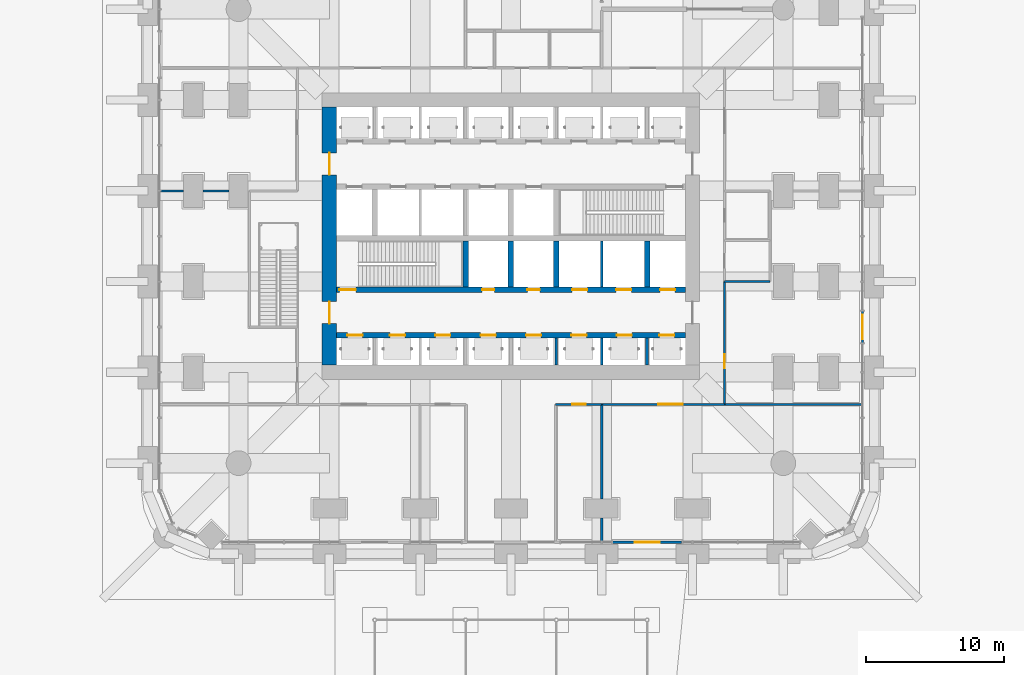
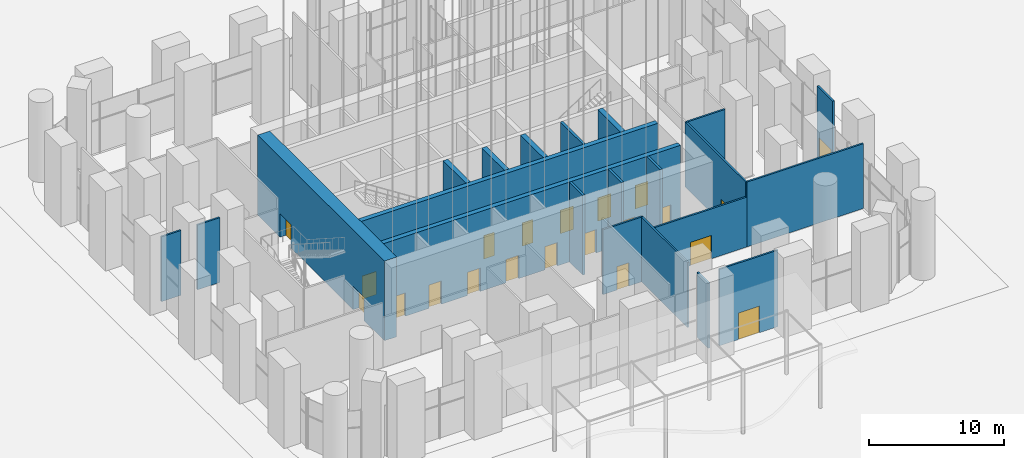
# One storey, part 15 of 32: 22 walls, 21 doors, 21 openings.
"""IFC4 building model written with IfcOpenShell, lengths in metres."""

import ifcopenshell
import ifcopenshell.guid

model = None  # the IFC model being written
_history = None  # IfcOwnerHistory: only IFC2X3 demands one
_inside = {}  # id of a spatial element -> (the spatial element, [elements in it])
_under = {}  # id of a project, library or spatial element -> (it, [spatial elements below it])
_declared = {}  # id of a project -> (the project, [libraries it declares])
_typed = {}  # id of a type object -> (the type object, [elements of that type])
_made_of = {}  # id of a material, layer set ... -> (it, [elements and type objects made of it])


def new_model(schema):
    """Start an empty IFC model of exactly this schema.

    Asked for "IFC4X3", IfcOpenShell would pick the latest addendum, in which some entities
    have other attributes; the version numbers below select the first issue.
    IFC2X3 requires an IfcOwnerHistory on every rooted entity: one is made here for all.
    """
    global model, _history
    if schema == "IFC4X3":
        model = ifcopenshell.file(schema_version=(4, 3, 0, 0))
    else:
        model = ifcopenshell.file(schema=schema)
    _inside.clear()
    _under.clear()
    _declared.clear()
    _typed.clear()
    _made_of.clear()
    _history = None
    if model.schema == "IFC2X3":
        org = make("IfcOrganization", Name="unknown")
        user = make(
            "IfcPersonAndOrganization",
            ThePerson=make("IfcPerson", FamilyName="unknown"),
            TheOrganization=org,
        )
        app = make(
            "IfcApplication",
            ApplicationDeveloper=org,
            Version="unknown",
            ApplicationFullName="unknown",
            ApplicationIdentifier="unknown",
        )
        _history = make(
            "IfcOwnerHistory",
            OwningUser=user,
            OwningApplication=app,
            ChangeAction="ADDED",
            CreationDate=0,
        )
    return model


def make(cls, **values):
    """One entity of the class cls with the attributes given. An attribute that is None is left unset."""
    return model.create_entity(
        cls, **{name: value for name, value in values.items() if value is not None}
    )


def rooted(cls, **values):
    """An entity with a GlobalId (a new one), such as an element, a storey or a relation."""
    return make(cls, GlobalId=ifcopenshell.guid.new(), OwnerHistory=_history, **values)


def si_unit(unit_type, name, prefix=None):
    """IfcSIUnit, for example si_unit("LENGTHUNIT", "METRE", prefix="MILLI")."""
    return make("IfcSIUnit", UnitType=unit_type, Prefix=prefix, Name=name)


def assignment(units):
    """IfcUnitAssignment: the units of a project."""
    return None if units is None else make("IfcUnitAssignment", Units=units)


def point(xyz):
    """IfcCartesianPoint."""
    return None if xyz is None else make("IfcCartesianPoint", Coordinates=xyz)


def direction(xyz):
    """IfcDirection."""
    return None if xyz is None else make("IfcDirection", DirectionRatios=xyz)


def frame(location, z_axis=None, x_axis=None):
    """IfcAxis2Placement3D, a coordinate frame: its origin and axes. An axis left out is left unset."""
    return make(
        "IfcAxis2Placement3D",
        Location=point(location),
        Axis=direction(z_axis),
        RefDirection=direction(x_axis),
    )


def frame_2d(location, x_axis=None):
    """IfcAxis2Placement2D, a coordinate frame in the plane: its origin and x axis."""
    return make(
        "IfcAxis2Placement2D", Location=point(location), RefDirection=direction(x_axis)
    )


def origin():
    """The frame at (0, 0, 0) with its axes left unset."""
    return frame((0.0, 0.0, 0.0))


def place(relative_to, where):
    """IfcLocalPlacement: puts the frame where relative to a parent placement (None: the world)."""
    return make(
        "IfcLocalPlacement", PlacementRelTo=relative_to, RelativePlacement=where
    )


def context(
    kind, dimensions, precision=None, world=None, true_north=None, identifier=None
):
    """IfcGeometricRepresentationContext, for example the 3D "Model" context."""
    return make(
        "IfcGeometricRepresentationContext",
        ContextIdentifier=identifier,
        ContextType=kind,
        CoordinateSpaceDimension=dimensions,
        Precision=precision,
        WorldCoordinateSystem=world,
        TrueNorth=true_north,
    )


def subcontext(parent, identifier, kind, view, scale=None):
    """IfcGeometricRepresentationSubContext, for example "Body" below "Model"."""
    return make(
        "IfcGeometricRepresentationSubContext",
        ContextIdentifier=identifier,
        ContextType=kind,
        ParentContext=parent,
        TargetScale=scale,
        TargetView=view,
    )


def project(units=None, contexts=None):
    """IfcProject with its units and contexts."""
    return rooted(
        "IfcProject",
        Name="project",
        RepresentationContexts=contexts,
        UnitsInContext=assignment(units),
    )


def spatial(cls, under=None, at=None, **own):
    """A site, building, storey or space (cls), placed at a placement, below another one or the project."""
    s = rooted(cls, ObjectPlacement=at, **own)
    if under is not None:
        _under.setdefault(under.id(), (under, []))[1].append(s)
    return s


def profile(cls, at=None, kind="AREA", **sizes):
    """A parametric profile (cls). Its sizes go by their IFC names, for example OverallWidth=200.0."""
    return make(cls, ProfileType=kind, Position=at, **sizes)


def rectangle(**sizes):
    """IfcRectangleProfileDef."""
    return profile("IfcRectangleProfileDef", **sizes)


def extrude(swept, where, along, depth):
    """IfcExtrudedAreaSolid: the profile swept, set in the frame where, extruded along a direction by depth."""
    return make(
        "IfcExtrudedAreaSolid",
        SweptArea=swept,
        Position=where,
        ExtrudedDirection=direction(along),
        Depth=depth,
    )


def shape(context_of_items, identifier, shape_type, items):
    """IfcShapeRepresentation: the items that make up one representation, for example the "Body"."""
    return make(
        "IfcShapeRepresentation",
        ContextOfItems=context_of_items,
        RepresentationIdentifier=identifier,
        RepresentationType=shape_type,
        Items=items,
    )


def material(Name=None, Category=None):
    """IfcMaterial."""
    return make("IfcMaterial", Name=Name, Category=Category)


def layer(
    of_material, thickness, ventilated=None, Name=None, Category=None, Priority=None
):
    """IfcMaterialLayer: one layer of a wall or slab, of a material (None: an air gap)."""
    return make(
        "IfcMaterialLayer",
        Material=of_material,
        LayerThickness=thickness,
        IsVentilated=ventilated,
        Name=Name,
        Category=Category,
        Priority=Priority,
    )


def layer_set(layers, Name=None):
    """IfcMaterialLayerSet."""
    return make("IfcMaterialLayerSet", MaterialLayers=layers, LayerSetName=Name)


def made_of(thing, what):
    """Note that an element or type object is made of a material, layer set ...; save() writes the relation."""
    if what is not None:
        _made_of.setdefault(what.id(), (what, []))[1].append(thing)
    return thing


def type_object(cls, material=None, **own):
    """A type object (cls), such as IfcWallType, which elements share."""
    return made_of(rooted(cls, **own), material)


def element(
    cls,
    number,
    at=None,
    inside=None,
    cuts=None,
    type_object=None,
    material=None,
    context=None,
    identifier="Body",
    shape_type=None,
    held_by="IfcProductDefinitionShape",
    body=None,
    shapes=None,
    **own,
):
    """One element of the class cls, such as IfcWall. Its Tag is "e" and its number.

    at: its placement. inside: the storey or other place that contains it. cuts: it is an
    opening in that element (IfcRelVoidsElement). A single representation is given by context,
    identifier, shape_type and body (its items); several are given by shapes. held_by: the class
    of the entity that holds the representations. save() writes the other relations.
    """
    e = rooted(cls, Tag="e%d" % number, ObjectPlacement=at, **own)
    if body is not None:
        shapes = [shape(context, identifier, shape_type, body)]
    if shapes is not None:
        e.Representation = make(held_by, Representations=shapes)
    if inside is not None:
        _inside.setdefault(inside.id(), (inside, []))[1].append(e)
    if cuts is not None:
        rooted(
            "IfcRelVoidsElement", RelatingBuildingElement=cuts, RelatedOpeningElement=e
        )
    if type_object is not None:
        _typed.setdefault(type_object.id(), (type_object, []))[1].append(e)
    return made_of(e, material)


def fill(opening, filler):
    """IfcRelFillsElement: the door or window that sits in an opening."""
    return rooted(
        "IfcRelFillsElement",
        RelatingOpeningElement=opening,
        RelatedBuildingElement=filler,
    )


def aggregate(whole, parts):
    """IfcRelAggregates: a whole, such as a stair, and the parts it consists of."""
    return rooted("IfcRelAggregates", RelatingObject=whole, RelatedObjects=parts)


def save(model, path):
    """Write the relations noted so far, then the file.

    IfcRelAggregates (storeys below a building ...), IfcRelContainedInSpatialStructure (elements
    in a storey), IfcRelDefinesByType, IfcRelAssociatesMaterial and IfcRelDeclares: one each for
    every whole, place, type object, material and project.
    """
    for whole, parts in _under.values():
        aggregate(whole, parts)
    for where, things in _inside.values():
        rooted(
            "IfcRelContainedInSpatialStructure",
            RelatedElements=things,
            RelatingStructure=where,
        )
    for kind, things in _typed.values():
        rooted("IfcRelDefinesByType", RelatedObjects=things, RelatingType=kind)
    for what, things in _made_of.values():
        rooted("IfcRelAssociatesMaterial", RelatedObjects=things, RelatingMaterial=what)
    for by, libraries in _declared.values():
        rooted("IfcRelDeclares", RelatingContext=by, RelatedDefinitions=libraries)
    model.write(path)


model = new_model("IFC4")

# Units and contexts
model_context = context("Model", 3, precision=1e-05, world=origin(), true_north=direction((0.0, 1.0)))
body_context = subcontext(model_context, "Body", "Model", "MODEL_VIEW")
ifc_project = project(units=[si_unit("LENGTHUNIT", "METRE"), si_unit("AREAUNIT", "SQUARE_METRE"), si_unit("VOLUMEUNIT", "CUBIC_METRE"), si_unit("PLANEANGLEUNIT", "RADIAN"), si_unit("MASSUNIT", "GRAM", prefix="KILO")], contexts=[model_context])

# Site, building, storey
site_placement = place(None, origin())
site = spatial("IfcSite", under=ifc_project, at=site_placement, CompositionType="ELEMENT")
building_placement = place(site_placement, origin())
building = spatial("IfcBuilding", under=site, at=building_placement, Name="Cobogo Forest Laboratory Tower", CompositionType="ELEMENT")
storey_placement = place(building_placement, origin())
storey = spatial("IfcBuildingStorey", under=building, at=storey_placement, Name="L00", CompositionType="ELEMENT", Elevation=0.0)

# Wall, openings, doors
ifc_material_1 = material(Name="Concrete HA-50 (C50/60)", Category="concrete")
ifc_layer_1 = layer(ifc_material_1, 0.39990234375)
ifc_layer_set_1 = layer_set([ifc_layer_1], Name="CI400 core inner wall 400")
wall_type_1 = type_object("IfcWallType", Name="CI400 core inner wall 400", PredefinedType="SHEAR", material=ifc_layer_set_1)
wall_1_placement = place(storey_placement, frame((13.72509765625, 15.89990234375, 0.0), z_axis=(0.0, 0.0, 1.0), x_axis=(1.0, 0.0, 0.0)))
wall_1 = element("IfcWall", 1, at=wall_1_placement, inside=storey, type_object=wall_type_1, Name="Core wall CI-15.9 L00", PredefinedType="SHEAR", context=body_context, shape_type="SweptSolid", body=[
    extrude(rectangle(XDim=25.349853515625, YDim=0.39990234375, at=frame_2d((12.6748046875, 0.0))), origin(), (0.0, 0.0, 1.0), 7.199951171875),
])
opening_1_placement = place(wall_1_placement, frame((0.78759765625, 0.0, 0.0)))
opening_1 = element("IfcOpeningElement", 2, at=opening_1_placement, cuts=wall_1, Name="Opening L00-LD-LA1", PredefinedType="OPENING", context=body_context, shape_type="SweptSolid", body=[
    extrude(rectangle(XDim=1.10009765625, YDim=2.10009765625, at=frame_2d((0.550048828125, 1.050048828125))), frame((0.0, 0.2099609375, 0.0), z_axis=(0.0, -1.0, 0.0), x_axis=(1.0, 0.0, 0.0)), (0.0, 0.0, 1.0), 0.419921875),
])
opening_2_placement = place(wall_1_placement, frame((3.875, 0.0, 0.0)))
opening_2 = element("IfcOpeningElement", 3, at=opening_2_placement, cuts=wall_1, Name="Opening L00-LD-LA2", PredefinedType="OPENING", context=body_context, shape_type="SweptSolid", body=[
    extrude(rectangle(XDim=1.10009765625, YDim=2.10009765625, at=frame_2d((0.550048828125, 1.050048828125))), frame((0.0, 0.2099609375, 0.0), z_axis=(0.0, -1.0, 0.0), x_axis=(1.0, 0.0, 0.0)), (0.0, 0.0, 1.0), 0.419921875),
])
opening_3_placement = place(wall_1_placement, frame((7.175048828125, 0.0, 0.0)))
opening_3 = element("IfcOpeningElement", 4, at=opening_3_placement, cuts=wall_1, Name="Opening L00-LD-LA3", PredefinedType="OPENING", context=body_context, shape_type="SweptSolid", body=[
    extrude(rectangle(XDim=1.10009765625, YDim=2.10009765625, at=frame_2d((0.550048828125, 1.050048828125))), frame((0.0, 0.2099609375, 0.0), z_axis=(0.0, -1.0, 0.0), x_axis=(1.0, 0.0, 0.0)), (0.0, 0.0, 1.0), 0.419921875),
])
opening_4_placement = place(wall_1_placement, frame((10.47509765625, 0.0, 0.0)))
opening_4 = element("IfcOpeningElement", 5, at=opening_4_placement, cuts=wall_1, Name="Opening L00-LD-LA4", PredefinedType="OPENING", context=body_context, shape_type="SweptSolid", body=[
    extrude(rectangle(XDim=1.10009765625, YDim=2.10009765625, at=frame_2d((0.550048828125, 1.050048828125))), frame((0.0, 0.2099609375, 0.0), z_axis=(0.0, -1.0, 0.0), x_axis=(1.0, 0.0, 0.0)), (0.0, 0.0, 1.0), 0.419921875),
])
opening_5_placement = place(wall_1_placement, frame((13.77490234375, 0.0, 0.0)))
opening_5 = element("IfcOpeningElement", 6, at=opening_5_placement, cuts=wall_1, Name="Opening L00-LD-LB1", PredefinedType="OPENING", context=body_context, shape_type="SweptSolid", body=[
    extrude(rectangle(XDim=1.10009765625, YDim=2.10009765625, at=frame_2d((0.550048828125, 1.050048828125))), frame((0.0, 0.2099609375, 0.0), z_axis=(0.0, -1.0, 0.0), x_axis=(1.0, 0.0, 0.0)), (0.0, 0.0, 1.0), 0.419921875),
])
opening_6_placement = place(wall_1_placement, frame((17.074951171875, 0.0, 0.0)))
opening_6 = element("IfcOpeningElement", 7, at=opening_6_placement, cuts=wall_1, Name="Opening L00-LD-LB2", PredefinedType="OPENING", context=body_context, shape_type="SweptSolid", body=[
    extrude(rectangle(XDim=1.10009765625, YDim=2.10009765625, at=frame_2d((0.550048828125, 1.050048828125))), frame((0.0, 0.2099609375, 0.0), z_axis=(0.0, -1.0, 0.0), x_axis=(1.0, 0.0, 0.0)), (0.0, 0.0, 1.0), 0.419921875),
])
opening_7_placement = place(wall_1_placement, frame((20.375, 0.0, 0.0)))
opening_7 = element("IfcOpeningElement", 8, at=opening_7_placement, cuts=wall_1, Name="Opening L00-LD-LB3", PredefinedType="OPENING", context=body_context, shape_type="SweptSolid", body=[
    extrude(rectangle(XDim=1.10009765625, YDim=2.10009765625, at=frame_2d((0.550048828125, 1.050048828125))), frame((0.0, 0.2099609375, 0.0), z_axis=(0.0, -1.0, 0.0), x_axis=(1.0, 0.0, 0.0)), (0.0, 0.0, 1.0), 0.419921875),
])
opening_8_placement = place(wall_1_placement, frame((23.46240234375, 0.0, 0.0)))
opening_8 = element("IfcOpeningElement", 9, at=opening_8_placement, cuts=wall_1, Name="Opening L00-LD-LB4", PredefinedType="OPENING", context=body_context, shape_type="SweptSolid", body=[
    extrude(rectangle(XDim=1.10009765625, YDim=2.10009765625, at=frame_2d((0.550048828125, 1.050048828125))), frame((0.0, 0.2099609375, 0.0), z_axis=(0.0, -1.0, 0.0), x_axis=(1.0, 0.0, 0.0)), (0.0, 0.0, 1.0), 0.419921875),
])
ifc_material_2 = material(Name="Stainless steel lift door", Category="steel")
door_type_1 = type_object("IfcDoorType", Name="LD lift landing door 1100", OperationType="DOUBLE_DOOR_SLIDING", PredefinedType="DOOR", material=ifc_material_2)
door_1_placement = place(opening_1_placement, origin())
door_1 = element("IfcDoor", 10, at=door_1_placement, inside=storey, type_object=door_type_1, Name="Lift landing door LA1 L00", OperationType="DOUBLE_DOOR_SLIDING", OverallHeight=2.10009765625, OverallWidth=1.10009765625, PredefinedType="DOOR", context=body_context, shape_type="SweptSolid", body=[
    extrude(rectangle(XDim=1.10009765625, YDim=2.10009765625, at=frame_2d((0.550048828125, 1.050048828125))), frame((0.0, 0.02490234375, 0.0), z_axis=(0.0, -1.0, 0.0), x_axis=(1.0, 0.0, 0.0)), (0.0, 0.0, 1.0), 0.050048828125),
])
fill(opening_1, door_1)
door_2_placement = place(opening_2_placement, origin())
door_2 = element("IfcDoor", 11, at=door_2_placement, inside=storey, type_object=door_type_1, Name="Lift landing door LA2 L00", OperationType="DOUBLE_DOOR_SLIDING", OverallHeight=2.10009765625, OverallWidth=1.10009765625, PredefinedType="DOOR", context=body_context, shape_type="SweptSolid", body=[
    extrude(rectangle(XDim=1.10009765625, YDim=2.10009765625, at=frame_2d((0.550048828125, 1.050048828125))), frame((0.0, 0.02490234375, 0.0), z_axis=(0.0, -1.0, 0.0), x_axis=(1.0, 0.0, 0.0)), (0.0, 0.0, 1.0), 0.050048828125),
])
fill(opening_2, door_2)
door_3_placement = place(opening_3_placement, origin())
door_3 = element("IfcDoor", 12, at=door_3_placement, inside=storey, type_object=door_type_1, Name="Lift landing door LA3 L00", OperationType="DOUBLE_DOOR_SLIDING", OverallHeight=2.10009765625, OverallWidth=1.10009765625, PredefinedType="DOOR", context=body_context, shape_type="SweptSolid", body=[
    extrude(rectangle(XDim=1.10009765625, YDim=2.10009765625, at=frame_2d((0.550048828125, 1.050048828125))), frame((0.0, 0.02490234375, 0.0), z_axis=(0.0, -1.0, 0.0), x_axis=(1.0, 0.0, 0.0)), (0.0, 0.0, 1.0), 0.050048828125),
])
fill(opening_3, door_3)
door_4_placement = place(opening_4_placement, origin())
door_4 = element("IfcDoor", 13, at=door_4_placement, inside=storey, type_object=door_type_1, Name="Lift landing door LA4 L00", OperationType="DOUBLE_DOOR_SLIDING", OverallHeight=2.10009765625, OverallWidth=1.10009765625, PredefinedType="DOOR", context=body_context, shape_type="SweptSolid", body=[
    extrude(rectangle(XDim=1.10009765625, YDim=2.10009765625, at=frame_2d((0.550048828125, 1.050048828125))), frame((0.0, 0.02490234375, 0.0), z_axis=(0.0, -1.0, 0.0), x_axis=(1.0, 0.0, 0.0)), (0.0, 0.0, 1.0), 0.050048828125),
])
fill(opening_4, door_4)
door_5_placement = place(opening_5_placement, origin())
door_5 = element("IfcDoor", 14, at=door_5_placement, inside=storey, type_object=door_type_1, Name="Lift landing door LB1 L00", OperationType="DOUBLE_DOOR_SLIDING", OverallHeight=2.10009765625, OverallWidth=1.10009765625, PredefinedType="DOOR", context=body_context, shape_type="SweptSolid", body=[
    extrude(rectangle(XDim=1.10009765625, YDim=2.10009765625, at=frame_2d((0.550048828125, 1.050048828125))), frame((0.0, 0.02490234375, 0.0), z_axis=(0.0, -1.0, 0.0), x_axis=(1.0, 0.0, 0.0)), (0.0, 0.0, 1.0), 0.050048828125),
])
fill(opening_5, door_5)
door_6_placement = place(opening_6_placement, origin())
door_6 = element("IfcDoor", 15, at=door_6_placement, inside=storey, type_object=door_type_1, Name="Lift landing door LB2 L00", OperationType="DOUBLE_DOOR_SLIDING", OverallHeight=2.10009765625, OverallWidth=1.10009765625, PredefinedType="DOOR", context=body_context, shape_type="SweptSolid", body=[
    extrude(rectangle(XDim=1.10009765625, YDim=2.10009765625, at=frame_2d((0.550048828125, 1.050048828125))), frame((0.0, 0.02490234375, 0.0), z_axis=(0.0, -1.0, 0.0), x_axis=(1.0, 0.0, 0.0)), (0.0, 0.0, 1.0), 0.050048828125),
])
fill(opening_6, door_6)
door_7_placement = place(opening_7_placement, origin())
door_7 = element("IfcDoor", 16, at=door_7_placement, inside=storey, type_object=door_type_1, Name="Lift landing door LB3 L00", OperationType="DOUBLE_DOOR_SLIDING", OverallHeight=2.10009765625, OverallWidth=1.10009765625, PredefinedType="DOOR", context=body_context, shape_type="SweptSolid", body=[
    extrude(rectangle(XDim=1.10009765625, YDim=2.10009765625, at=frame_2d((0.550048828125, 1.050048828125))), frame((0.0, 0.02490234375, 0.0), z_axis=(0.0, -1.0, 0.0), x_axis=(1.0, 0.0, 0.0)), (0.0, 0.0, 1.0), 0.050048828125),
])
fill(opening_7, door_7)
door_8_placement = place(opening_8_placement, origin())
door_8 = element("IfcDoor", 17, at=door_8_placement, inside=storey, type_object=door_type_1, Name="Lift landing door LB4 L00", OperationType="DOUBLE_DOOR_SLIDING", OverallHeight=2.10009765625, OverallWidth=1.10009765625, PredefinedType="DOOR", context=body_context, shape_type="SweptSolid", body=[
    extrude(rectangle(XDim=1.10009765625, YDim=2.10009765625, at=frame_2d((0.550048828125, 1.050048828125))), frame((0.0, 0.02490234375, 0.0), z_axis=(0.0, -1.0, 0.0), x_axis=(1.0, 0.0, 0.0)), (0.0, 0.0, 1.0), 0.050048828125),
])
fill(opening_8, door_8)

wall_2_placement = place(storey_placement, frame((13.72509765625, 19.199951171875, 0.0), z_axis=(0.0, 0.0, 1.0), x_axis=(1.0, 0.0, 0.0)))
wall_2 = element("IfcWall", 18, at=wall_2_placement, inside=storey, type_object=wall_type_1, Name="Core wall CI-19.2 L00", PredefinedType="SHEAR", context=body_context, shape_type="SweptSolid", body=[
    extrude(rectangle(XDim=25.349853515625, YDim=0.39990234375, at=frame_2d((12.6748046875, 0.0))), origin(), (0.0, 0.0, 1.0), 7.199951171875),
])
opening_9_placement = place(wall_2_placement, frame((10.574951171875, 0.0, 0.0)))
opening_9 = element("IfcOpeningElement", 19, at=opening_9_placement, cuts=wall_2, Name="Opening L00-D15", PredefinedType="OPENING", context=body_context, shape_type="SweptSolid", body=[
    extrude(rectangle(XDim=0.89990234375, YDim=2.10009765625, at=frame_2d((0.449951171875, 1.050048828125))), frame((0.0, 0.2099609375, 0.0), z_axis=(0.0, -1.0, 0.0), x_axis=(1.0, 0.0, 0.0)), (0.0, 0.0, 1.0), 0.419921875),
])
opening_10_placement = place(wall_2_placement, frame((13.875, 0.0, 0.0)))
opening_10 = element("IfcOpeningElement", 20, at=opening_10_placement, cuts=wall_2, Name="Opening L00-D16", PredefinedType="OPENING", context=body_context, shape_type="SweptSolid", body=[
    extrude(rectangle(XDim=0.89990234375, YDim=2.10009765625, at=frame_2d((0.449951171875, 1.050048828125))), frame((0.0, 0.2099609375, 0.0), z_axis=(0.0, -1.0, 0.0), x_axis=(1.0, 0.0, 0.0)), (0.0, 0.0, 1.0), 0.419921875),
])
opening_11_placement = place(wall_2_placement, frame((0.199951171875, 0.0, 0.0)))
opening_11 = element("IfcOpeningElement", 21, at=opening_11_placement, cuts=wall_2, Name="Opening L00-D14", PredefinedType="OPENING", context=body_context, shape_type="SweptSolid", body=[
    extrude(rectangle(XDim=1.199951171875, YDim=2.10009765625, at=frame_2d((0.60009765625, 1.050048828125))), frame((0.0, 0.2099609375, 0.0), z_axis=(0.0, -1.0, 0.0), x_axis=(1.0, 0.0, 0.0)), (0.0, 0.0, 1.0), 0.419921875),
])
opening_12_placement = place(wall_2_placement, frame((23.512451171875, 0.0, 0.0)))
opening_12 = element("IfcOpeningElement", 22, at=opening_12_placement, cuts=wall_2, Name="Opening L00-LD-FL2", PredefinedType="OPENING", context=body_context, shape_type="SweptSolid", body=[
    extrude(rectangle(XDim=1.10009765625, YDim=2.10009765625, at=frame_2d((0.550048828125, 1.050048828125))), frame((0.0, 0.2099609375, 0.0), z_axis=(0.0, -1.0, 0.0), x_axis=(1.0, 0.0, 0.0)), (0.0, 0.0, 1.0), 0.419921875),
])
opening_13_placement = place(wall_2_placement, frame((17.125, 0.0, 0.0)))
opening_13 = element("IfcOpeningElement", 23, at=opening_13_placement, cuts=wall_2, Name="Opening L00-LD-LS1", PredefinedType="OPENING", context=body_context, shape_type="SweptSolid", body=[
    extrude(rectangle(XDim=1.10009765625, YDim=2.10009765625, at=frame_2d((0.550048828125, 1.050048828125))), frame((0.0, 0.2099609375, 0.0), z_axis=(0.0, -1.0, 0.0), x_axis=(1.0, 0.0, 0.0)), (0.0, 0.0, 1.0), 0.419921875),
])
opening_14_placement = place(wall_2_placement, frame((20.324951171875, 0.0, 0.0)))
opening_14 = element("IfcOpeningElement", 24, at=opening_14_placement, cuts=wall_2, Name="Opening L00-LD-LS2", PredefinedType="OPENING", context=body_context, shape_type="SweptSolid", body=[
    extrude(rectangle(XDim=1.10009765625, YDim=2.10009765625, at=frame_2d((0.550048828125, 1.050048828125))), frame((0.0, 0.2099609375, 0.0), z_axis=(0.0, -1.0, 0.0), x_axis=(1.0, 0.0, 0.0)), (0.0, 0.0, 1.0), 0.419921875),
])
ifc_material_3 = material(Name="Steel fire door", Category="steel")
door_type_2 = type_object("IfcDoorType", Name="DS1 protected stair door 1200 EI2 60", OperationType="SINGLE_SWING_LEFT", PredefinedType="DOOR", material=ifc_material_3)
door_9_placement = place(opening_11_placement, origin())
door_9 = element("IfcDoor", 25, at=door_9_placement, inside=storey, type_object=door_type_2, Name="Door L00-ST1", OperationType="SINGLE_SWING_LEFT", OverallHeight=2.10009765625, OverallWidth=1.199951171875, PredefinedType="DOOR", context=body_context, shape_type="SweptSolid", body=[
    extrude(rectangle(XDim=1.199951171875, YDim=2.10009765625, at=frame_2d((0.60009765625, 1.050048828125))), frame((0.0, 0.02490234375, 0.0), z_axis=(0.0, -1.0, 0.0), x_axis=(1.0, 0.0, 0.0)), (0.0, 0.0, 1.0), 0.050048828125),
])
fill(opening_11, door_9)
door_type_3 = type_object("IfcDoorType", Name="FD4 riser access door 900 EI2 60", OperationType="SINGLE_SWING_LEFT", PredefinedType="DOOR", material=ifc_material_3)
door_10_placement = place(opening_9_placement, origin())
door_10 = element("IfcDoor", 26, at=door_10_placement, inside=storey, type_object=door_type_3, Name="Door L00-R1", OperationType="SINGLE_SWING_LEFT", OverallHeight=2.10009765625, OverallWidth=0.89990234375, PredefinedType="DOOR", context=body_context, shape_type="SweptSolid", body=[
    extrude(rectangle(XDim=0.89990234375, YDim=2.10009765625, at=frame_2d((0.449951171875, 1.050048828125))), frame((0.0, 0.02490234375, 0.0), z_axis=(0.0, -1.0, 0.0), x_axis=(1.0, 0.0, 0.0)), (0.0, 0.0, 1.0), 0.050048828125),
])
fill(opening_9, door_10)
door_11_placement = place(opening_10_placement, origin())
door_11 = element("IfcDoor", 27, at=door_11_placement, inside=storey, type_object=door_type_3, Name="Door L00-R2", OperationType="SINGLE_SWING_RIGHT", OverallHeight=2.10009765625, OverallWidth=0.89990234375, PredefinedType="DOOR", context=body_context, shape_type="SweptSolid", body=[
    extrude(rectangle(XDim=0.89990234375, YDim=2.10009765625, at=frame_2d((0.449951171875, 1.050048828125))), frame((0.0, 0.02490234375, 0.0), z_axis=(0.0, -1.0, 0.0), x_axis=(1.0, 0.0, 0.0)), (0.0, 0.0, 1.0), 0.050048828125),
])
fill(opening_10, door_11)
door_12_placement = place(opening_12_placement, origin())
door_12 = element("IfcDoor", 28, at=door_12_placement, inside=storey, type_object=door_type_1, Name="Lift landing door FL2 L00", OperationType="DOUBLE_DOOR_SLIDING", OverallHeight=2.10009765625, OverallWidth=1.10009765625, PredefinedType="DOOR", context=body_context, shape_type="SweptSolid", body=[
    extrude(rectangle(XDim=1.10009765625, YDim=2.10009765625, at=frame_2d((0.550048828125, 1.050048828125))), frame((0.0, 0.02490234375, 0.0), z_axis=(0.0, -1.0, 0.0), x_axis=(1.0, 0.0, 0.0)), (0.0, 0.0, 1.0), 0.050048828125),
])
fill(opening_12, door_12)
door_13_placement = place(opening_13_placement, origin())
door_13 = element("IfcDoor", 29, at=door_13_placement, inside=storey, type_object=door_type_1, Name="Lift landing door LS1 L00", OperationType="DOUBLE_DOOR_SLIDING", OverallHeight=2.10009765625, OverallWidth=1.10009765625, PredefinedType="DOOR", context=body_context, shape_type="SweptSolid", body=[
    extrude(rectangle(XDim=1.10009765625, YDim=2.10009765625, at=frame_2d((0.550048828125, 1.050048828125))), frame((0.0, 0.02490234375, 0.0), z_axis=(0.0, -1.0, 0.0), x_axis=(1.0, 0.0, 0.0)), (0.0, 0.0, 1.0), 0.050048828125),
])
fill(opening_13, door_13)
door_14_placement = place(opening_14_placement, origin())
door_14 = element("IfcDoor", 30, at=door_14_placement, inside=storey, type_object=door_type_1, Name="Lift landing door LS2 L00", OperationType="DOUBLE_DOOR_SLIDING", OverallHeight=2.10009765625, OverallWidth=1.10009765625, PredefinedType="DOOR", context=body_context, shape_type="SweptSolid", body=[
    extrude(rectangle(XDim=1.10009765625, YDim=2.10009765625, at=frame_2d((0.550048828125, 1.050048828125))), frame((0.0, 0.02490234375, 0.0), z_axis=(0.0, -1.0, 0.0), x_axis=(1.0, 0.0, 0.0)), (0.0, 0.0, 1.0), 0.050048828125),
])
fill(opening_14, door_14)

# Walls
for number, where, z_axis, x_axis, name in (
    (31, (23.10009765625, 19.39990234375, 0.0), (0.0, 0.0, 1.0), (0.0, 1.0, 0.0), "Core wall CX-23.1 L00"),
    (32, (26.39990234375, 19.39990234375, 0.0), (0.0, 0.0, 1.0), (0.0, 1.0, 0.0), "Core wall CX-26.4S L00"),
    (33, (29.699951171875, 19.39990234375, 0.0), (0.0, 0.0, 1.0), (0.0, 1.0, 0.0), "Core wall CX-29.7S L00"),
    (34, (36.300048828125, 19.39990234375, 0.0), (0.0, 0.0, 1.0), (0.0, 1.0, 0.0), "Core wall CX-36.3 L00"),
):
    element("IfcWall", number, at=place(storey_placement, frame(where, z_axis=z_axis, x_axis=x_axis)), inside=storey, type_object=wall_type_1, Name=name, PredefinedType="SHEAR", context=body_context, shape_type="SweptSolid", body=[
        extrude(rectangle(XDim=3.35009765625, YDim=0.39990234375, at=frame_2d((1.675048828125, 0.0))), origin(), (0.0, 0.0, 1.0), 7.199951171875),
    ])

# Wall, openings, doors
ifc_layer_2 = layer(ifc_material_1, 1.050048828125)
ifc_layer_set_2 = layer_set([ifc_layer_2], Name="CW1050 core outer wall 1050")
wall_type_2 = type_object("IfcWallType", Name="CW1050 core outer wall 1050", PredefinedType="SHEAR", material=ifc_layer_set_2)
wall_3_placement = place(storey_placement, frame((13.199951171875, 32.47509765625, 0.0), z_axis=(0.0, 0.0, 1.0), x_axis=(0.0, -1.0, 0.0)))
wall_3 = element("IfcWall", 35, at=wall_3_placement, inside=storey, type_object=wall_type_2, Name="Core wall CO-W L00", PredefinedType="SHEAR", context=body_context, shape_type="SweptSolid", body=[
    extrude(rectangle(XDim=18.75, YDim=1.050048828125, at=frame_2d((9.375, 0.0))), origin(), (0.0, 0.0, 1.0), 7.199951171875),
])
opening_15_placement = place(wall_3_placement, frame((14.125, 0.0, 0.0)))
opening_15 = element("IfcOpeningElement", 36, at=opening_15_placement, cuts=wall_3, Name="Opening L00-D12", PredefinedType="OPENING", context=body_context, shape_type="SweptSolid", body=[
    extrude(rectangle(XDim=1.60009765625, YDim=2.10009765625, at=frame_2d((0.800048828125, 1.050048828125))), frame((0.0, 0.534912109375, 0.0), z_axis=(0.0, -1.0, 0.0), x_axis=(1.0, 0.0, 0.0)), (0.0, 0.0, 1.0), 1.070068359375),
])
opening_16_placement = place(wall_3_placement, frame((3.324951171875, 0.0, 0.0)))
opening_16 = element("IfcOpeningElement", 37, at=opening_16_placement, cuts=wall_3, Name="Opening L00-D20", PredefinedType="OPENING", context=body_context, shape_type="SweptSolid", body=[
    extrude(rectangle(XDim=1.60009765625, YDim=2.10009765625, at=frame_2d((0.800048828125, 1.050048828125))), frame((0.0, 0.534912109375, 0.0), z_axis=(0.0, -1.0, 0.0), x_axis=(1.0, 0.0, 0.0)), (0.0, 0.0, 1.0), 1.070068359375),
])
door_type_4 = type_object("IfcDoorType", Name="DS2 protected lobby door pair 1600 EI2 60", OperationType="DOUBLE_DOOR_DOUBLE_SWING", PredefinedType="DOOR", material=ifc_material_3)
door_15_placement = place(opening_15_placement, origin())
door_15 = element("IfcDoor", 38, at=door_15_placement, inside=storey, type_object=door_type_4, Name="Door L00-CO-W-S", OperationType="DOUBLE_DOOR_DOUBLE_SWING", OverallHeight=2.10009765625, OverallWidth=1.60009765625, PredefinedType="DOOR", context=body_context, shape_type="SweptSolid", body=[
    extrude(rectangle(XDim=1.60009765625, YDim=2.10009765625, at=frame_2d((0.800048828125, 1.050048828125))), frame((0.0, 0.02490234375, 0.0), z_axis=(0.0, -1.0, 0.0), x_axis=(1.0, 0.0, 0.0)), (0.0, 0.0, 1.0), 0.050048828125),
])
fill(opening_15, door_15)
door_16_placement = place(opening_16_placement, origin())
door_16 = element("IfcDoor", 39, at=door_16_placement, inside=storey, type_object=door_type_4, Name="Door L00-CO-W-N", OperationType="DOUBLE_DOOR_DOUBLE_SWING", OverallHeight=2.10009765625, OverallWidth=1.60009765625, PredefinedType="DOOR", context=body_context, shape_type="SweptSolid", body=[
    extrude(rectangle(XDim=1.60009765625, YDim=2.10009765625, at=frame_2d((0.800048828125, 1.050048828125))), frame((0.0, 0.02490234375, 0.0), z_axis=(0.0, -1.0, 0.0), x_axis=(1.0, 0.0, 0.0)), (0.0, 0.0, 1.0), 0.050048828125),
])
fill(opening_16, door_16)

# Wall, opening, door
ifc_material_4 = material(Name="Aluminium framed glazed screen", Category="aluminium")
ifc_layer_3 = layer(ifc_material_4, 0.14990234375)
ifc_layer_set_3 = layer_set([ifc_layer_3], Name="GS1 glazed door screen 150")
wall_type_3 = type_object("IfcWallType", Name="GS1 glazed door screen 150", PredefinedType="SOLIDWALL", material=ifc_layer_set_3)
wall_4_placement = place(storey_placement, frame((38.800048828125, 0.85009765625, 0.0), z_axis=(0.0, 0.0, 1.0), x_axis=(-1.0, 0.0, 0.0)))
wall_4 = element("IfcWall", 40, at=wall_4_placement, inside=storey, type_object=wall_type_3, Name="Entrance glazed screen EXSE", PredefinedType="SOLIDWALL", context=body_context, shape_type="SweptSolid", body=[
    extrude(rectangle(XDim=5.0, YDim=0.14990234375, at=frame_2d((2.5, 0.0))), origin(), (0.0, 0.0, 1.0), 6.89990234375),
])
opening_17_placement = place(wall_4_placement, frame((1.60009765625, 0.0, 0.0)))
opening_17 = element("IfcOpeningElement", 41, at=opening_17_placement, cuts=wall_4, Name="Opening L00-D04", PredefinedType="OPENING", context=body_context, shape_type="SweptSolid", body=[
    extrude(rectangle(XDim=1.800048828125, YDim=2.39990234375, at=frame_2d((0.89990234375, 1.199951171875))), frame((0.0, 0.0849609375, 0.0), z_axis=(0.0, -1.0, 0.0), x_axis=(1.0, 0.0, 0.0)), (0.0, 0.0, 1.0), 0.169921875),
])
ifc_material_5 = material(Name="Aluminium glazed door", Category="aluminium")
door_type_5 = type_object("IfcDoorType", Name="ED3 exit door pair 1800 glazed", OperationType="DOUBLE_DOOR_SINGLE_SWING", PredefinedType="DOOR", material=ifc_material_5)
door_17_placement = place(opening_17_placement, origin())
door_17 = element("IfcDoor", 42, at=door_17_placement, inside=storey, type_object=door_type_5, Name="Door L00-EXSE-1", OperationType="DOUBLE_DOOR_SINGLE_SWING", OverallHeight=2.39990234375, OverallWidth=1.800048828125, PredefinedType="DOOR", context=body_context, shape_type="SweptSolid", body=[
    extrude(rectangle(XDim=1.800048828125, YDim=2.39990234375, at=frame_2d((0.89990234375, 1.199951171875))), frame((0.0, 0.02490234375, 0.0), z_axis=(0.0, -1.0, 0.0), x_axis=(1.0, 0.0, 0.0)), (0.0, 0.0, 1.0), 0.050048828125),
])
fill(opening_17, door_17)

wall_5_placement = place(storey_placement, frame((51.949951171875, 17.64990234375, 0.0), z_axis=(0.0, 0.0, 1.0), x_axis=(0.0, -1.0, 0.0)))
wall_5 = element("IfcWall", 43, at=wall_5_placement, inside=storey, type_object=wall_type_3, Name="Entrance glazed screen EXES", PredefinedType="SOLIDWALL", context=body_context, shape_type="SweptSolid", body=[
    extrude(rectangle(XDim=2.2998046875, YDim=0.14990234375, at=frame_2d((1.14990234375, 0.0))), origin(), (0.0, 0.0, 1.0), 6.89990234375),
])
opening_18_placement = place(wall_5_placement, frame((0.25, 0.0, 0.0)))
opening_18 = element("IfcOpeningElement", 44, at=opening_18_placement, cuts=wall_5, Name="Opening L00-D11", PredefinedType="OPENING", context=body_context, shape_type="SweptSolid", body=[
    extrude(rectangle(XDim=1.800048828125, YDim=2.39990234375, at=frame_2d((0.89990234375, 1.199951171875))), frame((0.0, 0.0849609375, 0.0), z_axis=(0.0, -1.0, 0.0), x_axis=(1.0, 0.0, 0.0)), (0.0, 0.0, 1.0), 0.169921875),
])
door_18_placement = place(opening_18_placement, origin())
door_18 = element("IfcDoor", 45, at=door_18_placement, inside=storey, type_object=door_type_5, Name="Door L00-EXES-1", OperationType="DOUBLE_DOOR_SINGLE_SWING", OverallHeight=2.39990234375, OverallWidth=1.800048828125, PredefinedType="DOOR", context=body_context, shape_type="SweptSolid", body=[
    extrude(rectangle(XDim=1.800048828125, YDim=2.39990234375, at=frame_2d((0.89990234375, 1.199951171875))), frame((0.0, 0.02490234375, 0.0), z_axis=(0.0, -1.0, 0.0), x_axis=(1.0, 0.0, 0.0)), (0.0, 0.0, 1.0), 0.050048828125),
])
fill(opening_18, door_18)

# Walls
ifc_material_6 = material(Name="Gypsum board on steel studs", Category="steel")
ifc_layer_4 = layer(ifc_material_6, 0.14990234375)
ifc_layer_set_4 = layer_set([ifc_layer_4], Name="PT1 laboratory partition 150")
wall_type_4 = type_object("IfcWallType", Name="PT1 laboratory partition 150", PredefinedType="PARTITIONING", material=ifc_layer_set_4)
wall_6_placement = place(storey_placement, frame((0.929931640625, 26.39990234375, 0.0), z_axis=(0.0, 0.0, 1.0), x_axis=(1.0, 0.0, 0.0)))
element("IfcWall", 46, at=wall_6_placement, inside=storey, type_object=wall_type_4, Name="Partition L00-P2-1 L00", PredefinedType="PARTITIONING", context=body_context, shape_type="SweptSolid", body=[
    extrude(rectangle(XDim=1.670166015625, YDim=0.14990234375, at=frame_2d((0.8349609375, 0.0))), origin(), (0.0, 0.0, 1.0), 5.85009765625),
])
wall_7_placement = place(storey_placement, frame((4.0, 26.39990234375, 0.0), z_axis=(0.0, 0.0, 1.0), x_axis=(1.0, 0.0, 0.0)))
element("IfcWall", 47, at=wall_7_placement, inside=storey, type_object=wall_type_4, Name="Partition L00-P2-2 L00", PredefinedType="PARTITIONING", context=body_context, shape_type="SweptSolid", body=[
    extrude(rectangle(XDim=1.89990234375, YDim=0.14990234375, at=frame_2d((0.949951171875, 0.0))), origin(), (0.0, 0.0, 1.0), 5.85009765625),
])

# Wall, opening, door
wall_8_placement = place(storey_placement, frame((29.64990234375, 10.875, 0.0), z_axis=(0.0, 0.0, 1.0), x_axis=(1.0, 0.0, 0.0)))
wall_8 = element("IfcWall", 48, at=wall_8_placement, inside=storey, type_object=wall_type_4, Name="Partition L00-P18-1 L00", PredefinedType="PARTITIONING", context=body_context, shape_type="SweptSolid", body=[
    extrude(rectangle(XDim=3.35009765625, YDim=0.14990234375, at=frame_2d((1.675048828125, 0.0))), origin(), (0.0, 0.0, 1.0), 5.85009765625),
])
opening_19_placement = place(wall_8_placement, frame((1.199951171875, 0.0, 0.0)))
opening_19 = element("IfcOpeningElement", 49, at=opening_19_placement, cuts=wall_8, Name="Opening L00-D07", PredefinedType="OPENING", context=body_context, shape_type="SweptSolid", body=[
    extrude(rectangle(XDim=1.0, YDim=2.10009765625, at=frame_2d((0.5, 1.050048828125))), frame((0.0, 0.0849609375, 0.0), z_axis=(0.0, -1.0, 0.0), x_axis=(1.0, 0.0, 0.0)), (0.0, 0.0, 1.0), 0.169921875),
])
ifc_material_7 = material(Name="Timber fire door", Category="wood")
door_type_6 = type_object("IfcDoorType", Name="FD2 fire door 1000 EI2 30", OperationType="SINGLE_SWING_LEFT", PredefinedType="DOOR", material=ifc_material_7)
door_19_placement = place(opening_19_placement, origin())
door_19 = element("IfcDoor", 50, at=door_19_placement, inside=storey, type_object=door_type_6, Name="Door L00-SEC", OperationType="SINGLE_SWING_RIGHT", OverallHeight=2.10009765625, OverallWidth=1.0, PredefinedType="DOOR", context=body_context, shape_type="SweptSolid", body=[
    extrude(rectangle(XDim=1.0, YDim=2.10009765625, at=frame_2d((0.5, 1.050048828125))), frame((0.0, 0.02490234375, 0.0), z_axis=(0.0, -1.0, 0.0), x_axis=(1.0, 0.0, 0.0)), (0.0, 0.0, 1.0), 0.050048828125),
])
fill(opening_19, door_19)

# Walls
wall_9_placement = place(storey_placement, frame((33.0, 10.875, 0.0), z_axis=(0.0, 0.0, 1.0), x_axis=(0.0, -1.0, 0.0)))
element("IfcWall", 51, at=wall_9_placement, inside=storey, type_object=wall_type_4, Name="Partition L00-P19-1 L00", PredefinedType="PARTITIONING", context=body_context, shape_type="SweptSolid", body=[
    extrude(rectangle(XDim=6.875, YDim=0.14990234375, at=frame_2d((3.4375, 0.0))), origin(), (0.0, 0.0, 1.0), 5.85009765625),
])
wall_10_placement = place(storey_placement, frame((33.0, 2.60009765625, 0.0), z_axis=(0.0, 0.0, 1.0), x_axis=(0.0, -1.0, 0.0)))
element("IfcWall", 52, at=wall_10_placement, inside=storey, type_object=wall_type_4, Name="Partition L00-P19-2 L00", PredefinedType="PARTITIONING", context=body_context, shape_type="SweptSolid", body=[
    extrude(rectangle(XDim=1.670166015625, YDim=0.14990234375, at=frame_2d((0.8349609375, 0.0))), origin(), (0.0, 0.0, 1.0), 5.85009765625),
])

# Wall, opening, door
wall_11_placement = place(storey_placement, frame((33.0, 10.875, 0.0), z_axis=(0.0, 0.0, 1.0), x_axis=(1.0, 0.0, 0.0)))
wall_11 = element("IfcWall", 53, at=wall_11_placement, inside=storey, type_object=wall_type_4, Name="Partition L00-P20-1 L00", PredefinedType="PARTITIONING", context=body_context, shape_type="SweptSolid", body=[
    extrude(rectangle(XDim=8.925048828125, YDim=0.14990234375, at=frame_2d((4.46240234375, 0.0))), origin(), (0.0, 0.0, 1.0), 4.5),
])
opening_20_placement = place(wall_11_placement, frame((4.10009765625, 0.0, 0.0)))
opening_20 = element("IfcOpeningElement", 54, at=opening_20_placement, cuts=wall_11, Name="Opening L00-D08", PredefinedType="OPENING", context=body_context, shape_type="SweptSolid", body=[
    extrude(rectangle(XDim=1.800048828125, YDim=2.10009765625, at=frame_2d((0.89990234375, 1.050048828125))), frame((0.0, 0.0849609375, 0.0), z_axis=(0.0, -1.0, 0.0), x_axis=(1.0, 0.0, 0.0)), (0.0, 0.0, 1.0), 0.169921875),
])
door_type_7 = type_object("IfcDoorType", Name="FD5 assembly room fire door pair 1800 EI2 30", OperationType="DOUBLE_DOOR_DOUBLE_SWING", PredefinedType="DOOR", material=ifc_material_7)
door_20_placement = place(opening_20_placement, origin())
door_20 = element("IfcDoor", 55, at=door_20_placement, inside=storey, type_object=door_type_7, Name="Door L00-VIS", OperationType="DOUBLE_DOOR_DOUBLE_SWING", OverallHeight=2.10009765625, OverallWidth=1.800048828125, PredefinedType="DOOR", context=body_context, shape_type="SweptSolid", body=[
    extrude(rectangle(XDim=1.800048828125, YDim=2.10009765625, at=frame_2d((0.89990234375, 1.050048828125))), frame((0.0, 0.02490234375, 0.0), z_axis=(0.0, -1.0, 0.0), x_axis=(1.0, 0.0, 0.0)), (0.0, 0.0, 1.0), 0.050048828125),
])
fill(opening_20, door_20)

# Wall
wall_12_placement = place(storey_placement, frame((41.925048828125, 10.875, 0.0), z_axis=(0.0, 0.0, 1.0), x_axis=(1.0, 0.0, 0.0)))
element("IfcWall", 56, at=wall_12_placement, inside=storey, type_object=wall_type_4, Name="Partition L00-P24-1 L00", PredefinedType="PARTITIONING", context=body_context, shape_type="SweptSolid", body=[
    extrude(rectangle(XDim=9.945068359375, YDim=0.14990234375, at=frame_2d((4.97265625, 0.0))), origin(), (0.0, 0.0, 1.0), 5.85009765625),
])

# Wall, opening, door
wall_13_placement = place(storey_placement, frame((41.925048828125, 10.875, 0.0), z_axis=(0.0, 0.0, 1.0), x_axis=(0.0, 1.0, 0.0)))
wall_13 = element("IfcWall", 57, at=wall_13_placement, inside=storey, type_object=wall_type_4, Name="Partition L00-P25-1 L00", PredefinedType="PARTITIONING", context=body_context, shape_type="SweptSolid", body=[
    extrude(rectangle(XDim=8.925048828125, YDim=0.14990234375, at=frame_2d((4.46240234375, 0.0))), origin(), (0.0, 0.0, 1.0), 5.85009765625),
])
opening_21_placement = place(wall_13_placement, frame((2.625, 0.0, 0.0)))
opening_21 = element("IfcOpeningElement", 58, at=opening_21_placement, cuts=wall_13, Name="Opening L00-D10", PredefinedType="OPENING", context=body_context, shape_type="SweptSolid", body=[
    extrude(rectangle(XDim=1.0, YDim=2.10009765625, at=frame_2d((0.5, 1.050048828125))), frame((0.0, 0.0849609375, 0.0), z_axis=(0.0, -1.0, 0.0), x_axis=(1.0, 0.0, 0.0)), (0.0, 0.0, 1.0), 0.169921875),
])
door_21_placement = place(opening_21_placement, origin())
door_21 = element("IfcDoor", 59, at=door_21_placement, inside=storey, type_object=door_type_6, Name="Door L00-INC", OperationType="SINGLE_SWING_LEFT", OverallHeight=2.10009765625, OverallWidth=1.0, PredefinedType="DOOR", context=body_context, shape_type="SweptSolid", body=[
    extrude(rectangle(XDim=1.0, YDim=2.10009765625, at=frame_2d((0.5, 1.050048828125))), frame((0.0, 0.02490234375, 0.0), z_axis=(0.0, -1.0, 0.0), x_axis=(1.0, 0.0, 0.0)), (0.0, 0.0, 1.0), 0.050048828125),
])
fill(opening_21, door_21)

# Walls
wall_14_placement = place(storey_placement, frame((41.925048828125, 19.800048828125, 0.0), z_axis=(0.0, 0.0, 1.0), x_axis=(1.0, 0.0, 0.0)))
element("IfcWall", 60, at=wall_14_placement, inside=storey, type_object=wall_type_4, Name="Partition L00-P26-1 L00", PredefinedType="PARTITIONING", context=body_context, shape_type="SweptSolid", body=[
    extrude(rectangle(XDim=3.300048828125, YDim=0.14990234375, at=frame_2d((1.64990234375, 0.0))), origin(), (0.0, 0.0, 1.0), 5.85009765625),
])
ifc_material_8 = material(Name="Concrete block", Category="concrete")
ifc_layer_5 = layer(ifc_material_8, 0.199951171875)
ifc_layer_set_5 = layer_set([ifc_layer_5], Name="SW200 lift shaft separator 200")
wall_type_5 = type_object("IfcWallType", Name="SW200 lift shaft separator 200", PredefinedType="PARTITIONING", material=ifc_layer_set_5)
for number, where, z_axis, x_axis, name in (
    (61, (29.699951171875, 13.72509765625, 0.0), (0.0, 0.0, 1.0), (0.0, 1.0, 0.0), "Core wall SEP-S5 L00"),
    (62, (33.0, 13.72509765625, 0.0), (0.0, 0.0, 1.0), (0.0, 1.0, 0.0), "Core wall SEP-S6 L00"),
    (63, (36.300048828125, 13.72509765625, 0.0), (0.0, 0.0, 1.0), (0.0, 1.0, 0.0), "Core wall SEP-S7 L00"),
):
    element("IfcWall", number, at=place(storey_placement, frame(where, z_axis=z_axis, x_axis=x_axis)), inside=storey, type_object=wall_type_5, Name=name, PredefinedType="PARTITIONING", context=body_context, shape_type="SweptSolid", body=[
        extrude(rectangle(XDim=1.974853515625, YDim=0.199951171875, at=frame_2d((0.9873046875, 0.0))), origin(), (0.0, 0.0, 1.0), 7.199951171875),
    ])
wall_15_placement = place(storey_placement, frame((33.0, 19.39990234375, 0.0), z_axis=(0.0, 0.0, 1.0), x_axis=(0.0, 1.0, 0.0)))
element("IfcWall", 64, at=wall_15_placement, inside=storey, type_object=wall_type_5, Name="Core wall SEP-M33.0 L00", PredefinedType="PARTITIONING", context=body_context, shape_type="SweptSolid", body=[
    extrude(rectangle(XDim=3.35009765625, YDim=0.199951171875, at=frame_2d((1.675048828125, 0.0))), origin(), (0.0, 0.0, 1.0), 7.199951171875),
])

save(model, "model.ifc")
